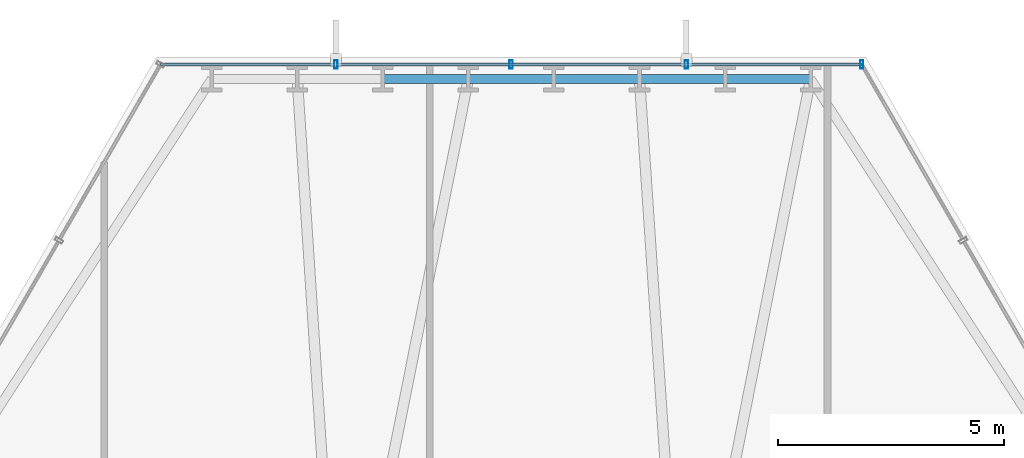
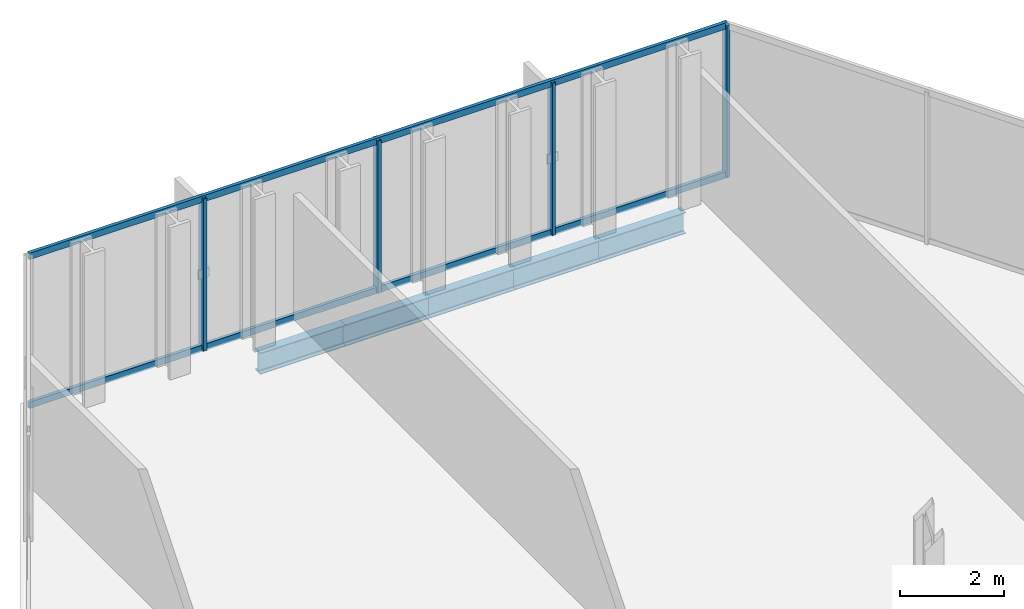
# One storey, part 23 of 32: 6 members, 5 beams, 1 element without a shape of its own.
"""IFC4 building model written with IfcOpenShell, lengths in metres."""

from ifc_helpers import new_model, si_unit, direction, frame, origin, origin_2d, place, context, subcontext, project, spatial, hollow_rectangle, i_section, extrude, material, layer, layer_set, material_profile, profile_set, type_object, element, aggregate, save


model = new_model("IFC4")

# Units and contexts
model_context = context("Model", 3, precision=1e-05, world=origin(), true_north=direction((0.0, 1.0)))
body_context = subcontext(model_context, "Body", "Model", "MODEL_VIEW")
ifc_project = project(units=[si_unit("LENGTHUNIT", "METRE"), si_unit("AREAUNIT", "SQUARE_METRE"), si_unit("VOLUMEUNIT", "CUBIC_METRE"), si_unit("PLANEANGLEUNIT", "RADIAN"), si_unit("MASSUNIT", "GRAM", prefix="KILO")], contexts=[model_context])

# Site, building, storey
site_placement = place(None, origin())
site = spatial("IfcSite", under=ifc_project, at=site_placement, CompositionType="ELEMENT")
building_placement = place(site_placement, origin())
building = spatial("IfcBuilding", under=site, at=building_placement, Name="Ndaravel Arena Tower", CompositionType="ELEMENT")
storey_placement = place(building_placement, frame((0.0, 0.0, 62.60009765625)))
storey = spatial("IfcBuildingStorey", under=building, at=storey_placement, Name="L13", CompositionType="ELEMENT", Elevation=62.60009765625)

# Beams
ifc_material_1 = material(Name="Steel S355", Category="steel")
ifc_material_profile_1 = material_profile(ifc_material_1, i_section(OverallWidth=0.199951171875, OverallDepth=0.5, WebThickness=0.01025390625, FlangeThickness=0.01611328125, FilletRadius=0.02099609375, at=origin_2d()), Name="IPE 500")
ifc_profile_set_1 = profile_set([ifc_material_profile_1], Name="Steel S355")
beam_type = type_object("IfcBeamType", Name="BM-SPAN-IPE500", PredefinedType="SPANDREL", material=ifc_profile_set_1)
for number, where, z_axis, x_axis, name in (
    (1, (48.625, 45.52783203125, -0.47021484375), (-1.0, 0.0, 0.0), (0.0, -1.0, 0.0), "L13 Perimeter Spandrel Beam SP-11"),
    (2, (46.732177734375, 45.52783203125, -0.47021484375), (-1.0, 0.0, 0.0), (0.0, -1.0, 0.0), "L13 Perimeter Spandrel Beam SP-12"),
):
    element("IfcBeam", number, at=place(storey_placement, frame(where, z_axis=z_axis, x_axis=x_axis)), inside=storey, type_object=beam_type, Name=name, PredefinedType="SPANDREL", context=body_context, shape_type="SweptSolid", body=[
        extrude(i_section(OverallWidth=0.199951171875, OverallDepth=0.5, WebThickness=0.01025390625, FlangeThickness=0.01611328125, FilletRadius=0.02099609375, at=origin_2d()), origin(), (0.0, 0.0, 1.0), 1.892822265625),
    ])
beam_1_placement = place(storey_placement, frame((44.83935546875, 45.52783203125, -0.47021484375), z_axis=(-1.0, 0.0, 0.0), x_axis=(0.0, -1.0, 0.0)))
element("IfcBeam", 3, at=beam_1_placement, inside=storey, type_object=beam_type, Name="L13 Perimeter Spandrel Beam SP-13", PredefinedType="SPANDREL", context=body_context, shape_type="SweptSolid", body=[
    extrude(i_section(OverallWidth=0.199951171875, OverallDepth=0.5, WebThickness=0.01025390625, FlangeThickness=0.01611328125, FilletRadius=0.02099609375, at=origin_2d()), origin(), (0.0, 0.0, 1.0), 1.89306640625),
])
beam_2_placement = place(storey_placement, frame((42.9462890625, 45.52783203125, -0.47021484375), z_axis=(-1.0, 0.0, 0.0), x_axis=(0.0, -1.0, 0.0)))
element("IfcBeam", 4, at=beam_2_placement, inside=storey, type_object=beam_type, Name="L13 Perimeter Spandrel Beam SP-14", PredefinedType="SPANDREL", context=body_context, shape_type="SweptSolid", body=[
    extrude(i_section(OverallWidth=0.199951171875, OverallDepth=0.5, WebThickness=0.01025390625, FlangeThickness=0.01611328125, FilletRadius=0.02099609375, at=origin_2d()), origin(), (0.0, 0.0, 1.0), 1.892578125),
])
beam_3_placement = place(storey_placement, frame((41.0537109375, 45.52783203125, -0.47021484375), z_axis=(-1.0, 0.0, 0.0), x_axis=(0.0, -1.0, 0.0)))
element("IfcBeam", 5, at=beam_3_placement, inside=storey, type_object=beam_type, Name="L13 Perimeter Spandrel Beam SP-15", PredefinedType="SPANDREL", context=body_context, shape_type="SweptSolid", body=[
    extrude(i_section(OverallWidth=0.199951171875, OverallDepth=0.5, WebThickness=0.01025390625, FlangeThickness=0.01611328125, FilletRadius=0.02099609375, at=origin_2d()), origin(), (0.0, 0.0, 1.0), 1.89306640625),
])

# Curtain wall, members
ifc_material_2 = material(Name="Aluminium", Category="aluminium")
ifc_layer = layer(ifc_material_2, 0.179931640625)
ifc_layer_set = layer_set([ifc_layer], Name="Aluminium")
curtain_wall_type = type_object("IfcCurtainWallType", Name="CW-SYS-01", PredefinedType="NOTDEFINED", material=ifc_layer_set)
curtain_wall_placement = place(storey_placement, origin())
curtain_wall = element("IfcCurtainWall", 6, at=curtain_wall_placement, inside=storey, type_object=curtain_wall_type, Name="L13 Faceted Crystal Curtain Wall CW-L13-E04", PredefinedType="NOTDEFINED")
ifc_material_3 = material(Name="Aluminium", Category="aluminium")
ifc_material_profile_2 = material_profile(ifc_material_3, hollow_rectangle(XDim=0.074951171875, YDim=0.179931640625, WallThickness=0.00390625, at=origin_2d()), Name="CW MULLION 75x180x4")
ifc_profile_set_2 = profile_set([ifc_material_profile_2], Name="Aluminium")
member_type_1 = type_object("IfcMemberType", Name="MEM-CW-MUL180", PredefinedType="MULLION", material=ifc_profile_set_2)
member_1_placement = place(storey_placement, frame((49.756103515625, 45.847900390625, 0.0), z_axis=(0.0, 0.0, 1.0), x_axis=(-1.0, 0.0, 0.0)))
member_1 = element("IfcMember", 7, at=member_1_placement, type_object=member_type_1, Name="CW-L13-E04 Mullion 00", PredefinedType="MULLION", context=body_context, shape_type="SweptSolid", body=[
    extrude(hollow_rectangle(XDim=0.074951171875, YDim=0.179931640625, WallThickness=0.00390625, at=origin_2d()), origin(), (0.0, 0.0, 1.0), 3.579833984375),
])
member_2_placement = place(storey_placement, frame((45.878173828125, 45.847900390625, 0.0), z_axis=(0.0, 0.0, 1.0), x_axis=(-1.0, 0.0, 0.0)))
member_2 = element("IfcMember", 8, at=member_2_placement, type_object=member_type_1, Name="CW-L13-E04 Mullion 01", PredefinedType="MULLION", context=body_context, shape_type="SweptSolid", body=[
    extrude(hollow_rectangle(XDim=0.074951171875, YDim=0.179931640625, WallThickness=0.00390625, at=origin_2d()), origin(), (0.0, 0.0, 1.0), 3.579833984375),
])
member_3_placement = place(storey_placement, frame((42.0, 45.847900390625, 0.0), z_axis=(0.0, 0.0, 1.0), x_axis=(-1.0, 0.0, 0.0)))
member_3 = element("IfcMember", 9, at=member_3_placement, type_object=member_type_1, Name="CW-L13-E04 Mullion 02", PredefinedType="MULLION", context=body_context, shape_type="SweptSolid", body=[
    extrude(hollow_rectangle(XDim=0.074951171875, YDim=0.179931640625, WallThickness=0.00390625, at=origin_2d()), origin(), (0.0, 0.0, 1.0), 3.579833984375),
])
member_4_placement = place(storey_placement, frame((38.121826171875, 45.847900390625, 0.0), z_axis=(0.0, 0.0, 1.0), x_axis=(-1.0, 0.0, 0.0)))
member_4 = element("IfcMember", 10, at=member_4_placement, type_object=member_type_1, Name="CW-L13-E04 Mullion 03", PredefinedType="MULLION", context=body_context, shape_type="SweptSolid", body=[
    extrude(hollow_rectangle(XDim=0.074951171875, YDim=0.179931640625, WallThickness=0.00390625, at=origin_2d()), origin(), (0.0, 0.0, 1.0), 3.579833984375),
])
ifc_material_4 = material(Name="Aluminium", Category="aluminium")
ifc_material_profile_3 = material_profile(ifc_material_4, hollow_rectangle(XDim=0.074951171875, YDim=0.14990234375, WallThickness=0.00390625, at=origin_2d()), Name="CW TRANSOM 75x150x4")
ifc_profile_set_3 = profile_set([ifc_material_profile_3], Name="Aluminium")
member_type_2 = type_object("IfcMemberType", Name="MEM-CW-TRN150", PredefinedType="USERDEFINED", material=ifc_profile_set_3)
member_5_placement = place(storey_placement, frame((49.756103515625, 45.847900390625, 0.039794921875), z_axis=(-1.0, 0.0, 0.0), x_axis=(0.0, -1.0, 0.0)))
member_5 = element("IfcMember", 11, at=member_5_placement, type_object=member_type_2, Name="CW-L13-E04 Transom 01", ObjectType="TRANSOM", PredefinedType="USERDEFINED", context=body_context, shape_type="SweptSolid", body=[
    extrude(hollow_rectangle(XDim=0.074951171875, YDim=0.14990234375, WallThickness=0.00390625, at=origin_2d()), origin(), (0.0, 0.0, 1.0), 15.51220703125),
])
member_6_placement = place(storey_placement, frame((49.756103515625, 45.847900390625, 3.539794921875), z_axis=(-1.0, 0.0, 0.0), x_axis=(0.0, -1.0, 0.0)))
member_6 = element("IfcMember", 12, at=member_6_placement, type_object=member_type_2, Name="CW-L13-E04 Transom 02", ObjectType="TRANSOM", PredefinedType="USERDEFINED", context=body_context, shape_type="SweptSolid", body=[
    extrude(hollow_rectangle(XDim=0.074951171875, YDim=0.14990234375, WallThickness=0.00390625, at=origin_2d()), origin(), (0.0, 0.0, 1.0), 15.51220703125),
])
aggregate(curtain_wall, [member_1, member_2, member_3, member_4, member_5, member_6])

save(model, "model.ifc")
